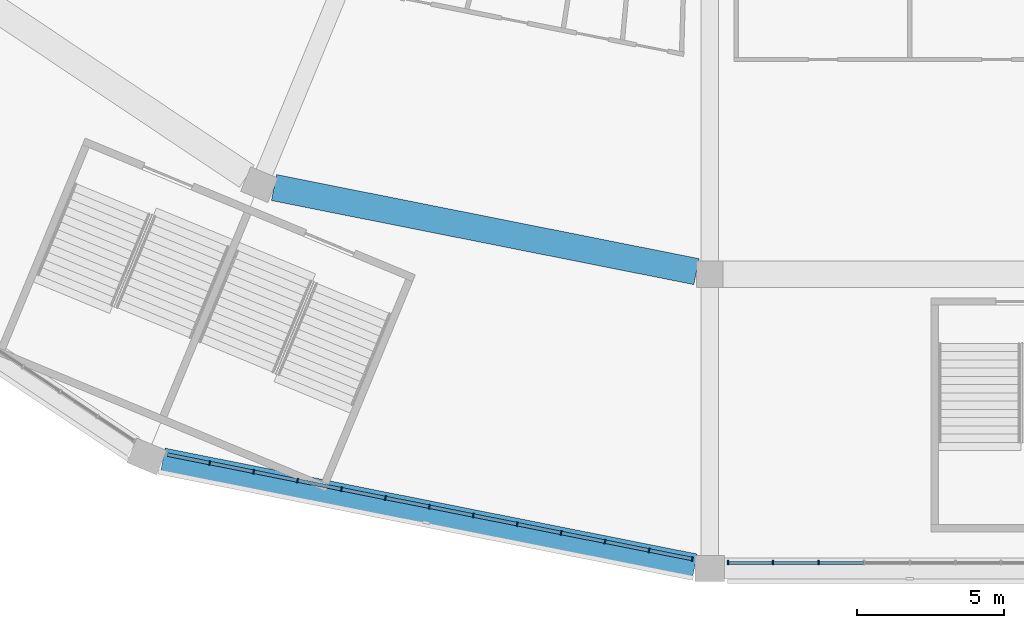
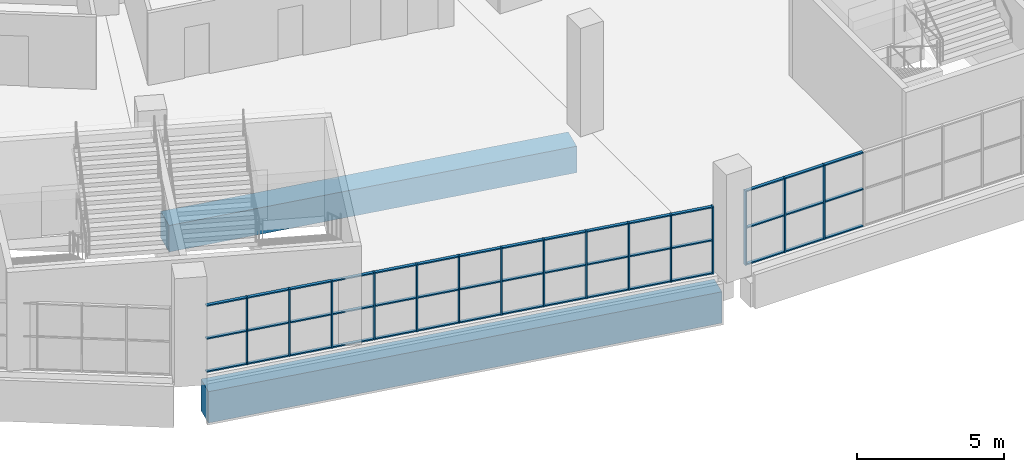
# One storey, part 5 of 199: 60 members, 2 beams, 2 elements without a shape of their own.
"""IFC4 building model written with IfcOpenShell, lengths in metres."""

from ifc_helpers import new_model, si_unit, direction, frame, origin, origin_2d, place, context, subcontext, project, spatial, rectangle, extrude, material, material_profile, profile_set, type_object, element, aggregate, save


model = new_model("IFC4")

# Units and contexts
model_context = context("Model", 3, precision=1e-05, world=origin(), true_north=direction((0.0, 1.0)))
body_context = subcontext(model_context, "Body", "Model", "MODEL_VIEW")
ifc_project = project(units=[si_unit("LENGTHUNIT", "METRE"), si_unit("AREAUNIT", "SQUARE_METRE"), si_unit("VOLUMEUNIT", "CUBIC_METRE"), si_unit("PLANEANGLEUNIT", "RADIAN"), si_unit("MASSUNIT", "GRAM", prefix="KILO")], contexts=[model_context])

# Site, building, storey
site_placement = place(None, origin())
site = spatial("IfcSite", under=ifc_project, at=site_placement, CompositionType="ELEMENT")
building_placement = place(site_placement, origin())
building = spatial("IfcBuilding", under=site, at=building_placement, Name="Ogive Plaza Stadium", CompositionType="ELEMENT")
storey_placement = place(building_placement, frame((0.0, 0.0, 9.0)))
storey = spatial("IfcBuildingStorey", under=building, at=storey_placement, Name="L02", CompositionType="ELEMENT", Elevation=9.0)

# Curtain wall, members
ifc_material_1 = material(Name="Bronze-anodised aluminium with laminated glass", Category="aluminium")
curtain_wall_type = type_object("IfcCurtainWallType", Name="Lancet curtain wall", PredefinedType="NOTDEFINED", material=ifc_material_1)
curtain_wall_1_placement = place(storey_placement, origin())
curtain_wall_1 = element("IfcCurtainWall", 1, at=curtain_wall_1_placement, inside=storey, type_object=curtain_wall_type, Name="CURTAIN WALL B16 L02", PredefinedType="NOTDEFINED")
ifc_material_2 = material(Name="Bronze-anodised aluminium", Category="aluminium")
ifc_material_profile_1 = material_profile(ifc_material_2, rectangle(XDim=0.14990234375, YDim=0.050048828125, at=origin_2d()), Name="AL 150x50")
ifc_profile_set_1 = profile_set([ifc_material_profile_1], Name="Bronze-anodised aluminium")
member_type_1 = type_object("IfcMemberType", Name="Curtain wall mullion 50x150", PredefinedType="MULLION", material=ifc_profile_set_1)
member_1_placement = place(storey_placement, frame((-30.300048828125, -102.300048828125, 0.0), z_axis=(0.0, 0.0, 1.0), x_axis=(0.0, -1.0, 0.0)))
member_1 = element("IfcMember", 2, at=member_1_placement, type_object=member_type_1, Name="CW-B16-L02 mullion 7", PredefinedType="MULLION", context=body_context, shape_type="SweptSolid", body=[
    extrude(rectangle(XDim=0.14990234375, YDim=0.050048828125, at=origin_2d()), origin(), (0.0, 0.0, 1.0), 3.090087890625),
])
member_2_placement = place(storey_placement, frame((-31.85009765625, -102.300048828125, 0.0), z_axis=(0.0, 0.0, 1.0), x_axis=(0.0, -1.0, 0.0)))
member_2 = element("IfcMember", 3, at=member_2_placement, type_object=member_type_1, Name="CW-B16-L02 mullion 8", PredefinedType="MULLION", context=body_context, shape_type="SweptSolid", body=[
    extrude(rectangle(XDim=0.14990234375, YDim=0.050048828125, at=origin_2d()), origin(), (0.0, 0.0, 1.0), 3.090087890625),
])
member_3_placement = place(storey_placement, frame((-33.375, -102.300048828125, 0.0), z_axis=(0.0, 0.0, 1.0), x_axis=(0.0, -1.0, 0.0)))
member_3 = element("IfcMember", 4, at=member_3_placement, type_object=member_type_1, Name="CW-B16-L02 mullion 9", PredefinedType="MULLION", context=body_context, shape_type="SweptSolid", body=[
    extrude(rectangle(XDim=0.14990234375, YDim=0.050048828125, at=origin_2d()), origin(), (0.0, 0.0, 1.0), 3.090087890625),
])

curtain_wall_2_placement = place(storey_placement, origin())
curtain_wall_2 = element("IfcCurtainWall", 5, at=curtain_wall_2_placement, inside=storey, type_object=curtain_wall_type, Name="CURTAIN WALL B17 L02", PredefinedType="NOTDEFINED")
member_4_placement = place(storey_placement, frame((-34.593994140625, -102.177978515625, 0.0), z_axis=(0.0, 0.0, 1.0), x_axis=(-0.195090322033, -0.9807852804, 0.0)))
member_4 = element("IfcMember", 6, at=member_4_placement, type_object=member_type_1, Name="CW-B17-L02 mullion 1", PredefinedType="MULLION", context=body_context, shape_type="SweptSolid", body=[
    extrude(rectangle(XDim=0.14990234375, YDim=0.050048828125, at=origin_2d()), origin(), (0.0, 0.0, 1.0), 2.7900390625),
])
member_5_placement = place(storey_placement, frame((-36.0625, -101.8857421875, 0.0), z_axis=(0.0, 0.0, 1.0), x_axis=(-0.195090322033, -0.9807852804, 0.0)))
member_5 = element("IfcMember", 7, at=member_5_placement, type_object=member_type_1, Name="CW-B17-L02 mullion 2", PredefinedType="MULLION", context=body_context, shape_type="SweptSolid", body=[
    extrude(rectangle(XDim=0.14990234375, YDim=0.050048828125, at=origin_2d()), origin(), (0.0, 0.0, 1.0), 2.7900390625),
])
member_6_placement = place(storey_placement, frame((-37.5556640625, -101.5888671875, 0.0), z_axis=(0.0, 0.0, 1.0), x_axis=(-0.195090322033, -0.9807852804, 0.0)))
member_6 = element("IfcMember", 8, at=member_6_placement, type_object=member_type_1, Name="CW-B17-L02 mullion 3", PredefinedType="MULLION", context=body_context, shape_type="SweptSolid", body=[
    extrude(rectangle(XDim=0.14990234375, YDim=0.050048828125, at=origin_2d()), origin(), (0.0, 0.0, 1.0), 2.7900390625),
])
member_7_placement = place(storey_placement, frame((-39.048828125, -101.291748046875, 0.0), z_axis=(0.0, 0.0, 1.0), x_axis=(-0.195090322033, -0.9807852804, 0.0)))
member_7 = element("IfcMember", 9, at=member_7_placement, type_object=member_type_1, Name="CW-B17-L02 mullion 4", PredefinedType="MULLION", context=body_context, shape_type="SweptSolid", body=[
    extrude(rectangle(XDim=0.14990234375, YDim=0.050048828125, at=origin_2d()), origin(), (0.0, 0.0, 1.0), 2.7900390625),
])
member_8_placement = place(storey_placement, frame((-40.5419921875, -100.994873046875, 0.0), z_axis=(0.0, 0.0, 1.0), x_axis=(-0.195090322033, -0.9807852804, 0.0)))
member_8 = element("IfcMember", 10, at=member_8_placement, type_object=member_type_1, Name="CW-B17-L02 mullion 5", PredefinedType="MULLION", context=body_context, shape_type="SweptSolid", body=[
    extrude(rectangle(XDim=0.14990234375, YDim=0.050048828125, at=origin_2d()), origin(), (0.0, 0.0, 1.0), 2.7900390625),
])
member_9_placement = place(storey_placement, frame((-42.034912109375, -100.69775390625, 0.0), z_axis=(0.0, 0.0, 1.0), x_axis=(-0.195090322033, -0.9807852804, 0.0)))
member_9 = element("IfcMember", 11, at=member_9_placement, type_object=member_type_1, Name="CW-B17-L02 mullion 6", PredefinedType="MULLION", context=body_context, shape_type="SweptSolid", body=[
    extrude(rectangle(XDim=0.14990234375, YDim=0.050048828125, at=origin_2d()), origin(), (0.0, 0.0, 1.0), 2.7900390625),
])
member_10_placement = place(storey_placement, frame((-43.528076171875, -100.40087890625, 0.0), z_axis=(0.0, 0.0, 1.0), x_axis=(-0.195090322033, -0.9807852804, 0.0)))
member_10 = element("IfcMember", 12, at=member_10_placement, type_object=member_type_1, Name="CW-B17-L02 mullion 7", PredefinedType="MULLION", context=body_context, shape_type="SweptSolid", body=[
    extrude(rectangle(XDim=0.14990234375, YDim=0.050048828125, at=origin_2d()), origin(), (0.0, 0.0, 1.0), 2.7900390625),
])
member_11_placement = place(storey_placement, frame((-45.021240234375, -100.103759765625, 0.0), z_axis=(0.0, 0.0, 1.0), x_axis=(-0.195090322033, -0.9807852804, 0.0)))
member_11 = element("IfcMember", 13, at=member_11_placement, type_object=member_type_1, Name="CW-B17-L02 mullion 8", PredefinedType="MULLION", context=body_context, shape_type="SweptSolid", body=[
    extrude(rectangle(XDim=0.14990234375, YDim=0.050048828125, at=origin_2d()), origin(), (0.0, 0.0, 1.0), 2.7900390625),
])
member_12_placement = place(storey_placement, frame((-46.51416015625, -99.806884765625, 0.0), z_axis=(0.0, 0.0, 1.0), x_axis=(-0.195090322033, -0.9807852804, 0.0)))
member_12 = element("IfcMember", 14, at=member_12_placement, type_object=member_type_1, Name="CW-B17-L02 mullion 9", PredefinedType="MULLION", context=body_context, shape_type="SweptSolid", body=[
    extrude(rectangle(XDim=0.14990234375, YDim=0.050048828125, at=origin_2d()), origin(), (0.0, 0.0, 1.0), 2.7900390625),
])
member_13_placement = place(storey_placement, frame((-48.00732421875, -99.509765625, 0.0), z_axis=(0.0, 0.0, 1.0), x_axis=(-0.195090322033, -0.9807852804, 0.0)))
member_13 = element("IfcMember", 15, at=member_13_placement, type_object=member_type_1, Name="CW-B17-L02 mullion 10", PredefinedType="MULLION", context=body_context, shape_type="SweptSolid", body=[
    extrude(rectangle(XDim=0.14990234375, YDim=0.050048828125, at=origin_2d()), origin(), (0.0, 0.0, 1.0), 2.7900390625),
])
member_14_placement = place(storey_placement, frame((-49.50048828125, -99.212890625, 0.0), z_axis=(0.0, 0.0, 1.0), x_axis=(-0.195090322033, -0.9807852804, 0.0)))
member_14 = element("IfcMember", 16, at=member_14_placement, type_object=member_type_1, Name="CW-B17-L02 mullion 11", PredefinedType="MULLION", context=body_context, shape_type="SweptSolid", body=[
    extrude(rectangle(XDim=0.14990234375, YDim=0.050048828125, at=origin_2d()), origin(), (0.0, 0.0, 1.0), 2.7900390625),
])
member_15_placement = place(storey_placement, frame((-50.99365234375, -98.915771484375, 0.0), z_axis=(0.0, 0.0, 1.0), x_axis=(-0.195090322033, -0.9807852804, 0.0)))
member_15 = element("IfcMember", 17, at=member_15_placement, type_object=member_type_1, Name="CW-B17-L02 mullion 12", PredefinedType="MULLION", context=body_context, shape_type="SweptSolid", body=[
    extrude(rectangle(XDim=0.14990234375, YDim=0.050048828125, at=origin_2d()), origin(), (0.0, 0.0, 1.0), 2.7900390625),
])

# Member
ifc_material_3 = material(Name="Bronze-anodised aluminium", Category="aluminium")
ifc_material_profile_2 = material_profile(ifc_material_3, rectangle(XDim=0.1201171875, YDim=0.050048828125, at=origin_2d()), Name="AL 120x50")
ifc_profile_set_2 = profile_set([ifc_material_profile_2], Name="Bronze-anodised aluminium")
member_type_2 = type_object("IfcMemberType", Name="Curtain wall transom 50x120", PredefinedType="USERDEFINED", material=ifc_profile_set_2)
member_16_placement = place(storey_placement, frame((-28.77490234375, -102.300048828125, 0.02490234375), z_axis=(-1.0, 0.0, 0.0), x_axis=(0.0, -1.0, 0.0)))
member_16 = element("IfcMember", 18, at=member_16_placement, type_object=member_type_2, Name="CW-B16-L02 transom 6.1", ObjectType="TRANSOM", PredefinedType="USERDEFINED", context=body_context, shape_type="SweptSolid", body=[
    extrude(rectangle(XDim=0.1201171875, YDim=0.050048828125, at=origin_2d()), origin(), (0.0, 0.0, 1.0), 1.5),
])

member_17_placement = place(storey_placement, frame((-28.77490234375, -102.300048828125, 1.544921875), z_axis=(-1.0, 0.0, 0.0), x_axis=(0.0, -1.0, 0.0)))
member_17 = element("IfcMember", 19, at=member_17_placement, type_object=member_type_2, Name="CW-B16-L02 transom 6.2", ObjectType="TRANSOM", PredefinedType="USERDEFINED", context=body_context, shape_type="SweptSolid", body=[
    extrude(rectangle(XDim=0.1201171875, YDim=0.050048828125, at=origin_2d()), origin(), (0.0, 0.0, 1.0), 1.5),
])

member_18_placement = place(storey_placement, frame((-28.77490234375, -102.300048828125, 3.06494140625), z_axis=(-1.0, 0.0, 0.0), x_axis=(0.0, -1.0, 0.0)))
member_18 = element("IfcMember", 20, at=member_18_placement, type_object=member_type_2, Name="CW-B16-L02 transom 6.3", ObjectType="TRANSOM", PredefinedType="USERDEFINED", context=body_context, shape_type="SweptSolid", body=[
    extrude(rectangle(XDim=0.1201171875, YDim=0.050048828125, at=origin_2d()), origin(), (0.0, 0.0, 1.0), 1.5),
])

member_19_placement = place(storey_placement, frame((-30.324951171875, -102.300048828125, 0.02490234375), z_axis=(-1.0, 0.0, 0.0), x_axis=(0.0, -1.0, 0.0)))
member_19 = element("IfcMember", 21, at=member_19_placement, type_object=member_type_2, Name="CW-B16-L02 transom 7.1", ObjectType="TRANSOM", PredefinedType="USERDEFINED", context=body_context, shape_type="SweptSolid", body=[
    extrude(rectangle(XDim=0.1201171875, YDim=0.050048828125, at=origin_2d()), origin(), (0.0, 0.0, 1.0), 1.5),
])

member_20_placement = place(storey_placement, frame((-30.324951171875, -102.300048828125, 1.544921875), z_axis=(-1.0, 0.0, 0.0), x_axis=(0.0, -1.0, 0.0)))
member_20 = element("IfcMember", 22, at=member_20_placement, type_object=member_type_2, Name="CW-B16-L02 transom 7.2", ObjectType="TRANSOM", PredefinedType="USERDEFINED", context=body_context, shape_type="SweptSolid", body=[
    extrude(rectangle(XDim=0.1201171875, YDim=0.050048828125, at=origin_2d()), origin(), (0.0, 0.0, 1.0), 1.5),
])

member_21_placement = place(storey_placement, frame((-30.324951171875, -102.300048828125, 3.06494140625), z_axis=(-1.0, 0.0, 0.0), x_axis=(0.0, -1.0, 0.0)))
member_21 = element("IfcMember", 23, at=member_21_placement, type_object=member_type_2, Name="CW-B16-L02 transom 7.3", ObjectType="TRANSOM", PredefinedType="USERDEFINED", context=body_context, shape_type="SweptSolid", body=[
    extrude(rectangle(XDim=0.1201171875, YDim=0.050048828125, at=origin_2d()), origin(), (0.0, 0.0, 1.0), 1.5),
])

member_22_placement = place(storey_placement, frame((-31.875, -102.300048828125, 0.02490234375), z_axis=(-1.0, 0.0, 0.0), x_axis=(0.0, -1.0, 0.0)))
member_22 = element("IfcMember", 24, at=member_22_placement, type_object=member_type_2, Name="CW-B16-L02 transom 8.1", ObjectType="TRANSOM", PredefinedType="USERDEFINED", context=body_context, shape_type="SweptSolid", body=[
    extrude(rectangle(XDim=0.1201171875, YDim=0.050048828125, at=origin_2d()), origin(), (0.0, 0.0, 1.0), 1.47509765625),
])

member_23_placement = place(storey_placement, frame((-31.875, -102.300048828125, 1.544921875), z_axis=(-1.0, 0.0, 0.0), x_axis=(0.0, -1.0, 0.0)))
member_23 = element("IfcMember", 25, at=member_23_placement, type_object=member_type_2, Name="CW-B16-L02 transom 8.2", ObjectType="TRANSOM", PredefinedType="USERDEFINED", context=body_context, shape_type="SweptSolid", body=[
    extrude(rectangle(XDim=0.1201171875, YDim=0.050048828125, at=origin_2d()), origin(), (0.0, 0.0, 1.0), 1.47509765625),
])

member_24_placement = place(storey_placement, frame((-31.875, -102.300048828125, 3.06494140625), z_axis=(-1.0, 0.0, 0.0), x_axis=(0.0, -1.0, 0.0)))
member_24 = element("IfcMember", 26, at=member_24_placement, type_object=member_type_2, Name="CW-B16-L02 transom 8.3", ObjectType="TRANSOM", PredefinedType="USERDEFINED", context=body_context, shape_type="SweptSolid", body=[
    extrude(rectangle(XDim=0.1201171875, YDim=0.050048828125, at=origin_2d()), origin(), (0.0, 0.0, 1.0), 1.47509765625),
])

aggregate(curtain_wall_1, [member_1, member_2, member_3, member_16, member_17, member_18, member_19, member_20, member_21, member_22, member_23, member_24])

member_25_placement = place(storey_placement, frame((-34.61865234375, -102.173095703125, 0.02490234375), z_axis=(-0.980768379534, 0.195175269199, 0.0), x_axis=(-0.195175269199, -0.980768379534, 0.0)))
member_25 = element("IfcMember", 27, at=member_25_placement, type_object=member_type_2, Name="CW-B17-L02 transom 1.1", ObjectType="TRANSOM", PredefinedType="USERDEFINED", context=body_context, shape_type="SweptSolid", body=[
    extrude(rectangle(XDim=0.1201171875, YDim=0.050048828125, at=origin_2d()), origin(), (0.0, 0.0, 1.0), 1.447265625),
])

member_26_placement = place(storey_placement, frame((-34.61865234375, -102.173095703125, 1.39501953125), z_axis=(-0.980768379534, 0.195175269199, 0.0), x_axis=(-0.195175269199, -0.980768379534, 0.0)))
member_26 = element("IfcMember", 28, at=member_26_placement, type_object=member_type_2, Name="CW-B17-L02 transom 1.2", ObjectType="TRANSOM", PredefinedType="USERDEFINED", context=body_context, shape_type="SweptSolid", body=[
    extrude(rectangle(XDim=0.1201171875, YDim=0.050048828125, at=origin_2d()), origin(), (0.0, 0.0, 1.0), 1.447265625),
])

member_27_placement = place(storey_placement, frame((-34.61865234375, -102.173095703125, 2.764892578125), z_axis=(-0.980768379534, 0.195175269199, 0.0), x_axis=(-0.195175269199, -0.980768379534, 0.0)))
member_27 = element("IfcMember", 29, at=member_27_placement, type_object=member_type_2, Name="CW-B17-L02 transom 1.3", ObjectType="TRANSOM", PredefinedType="USERDEFINED", context=body_context, shape_type="SweptSolid", body=[
    extrude(rectangle(XDim=0.1201171875, YDim=0.050048828125, at=origin_2d()), origin(), (0.0, 0.0, 1.0), 1.447265625),
])

member_28_placement = place(storey_placement, frame((-36.087158203125, -101.880859375, 0.02490234375), z_axis=(-0.980803254763, 0.194999937042, 0.0), x_axis=(-0.194999937042, -0.980803254763, 0.0)))
member_28 = element("IfcMember", 30, at=member_28_placement, type_object=member_type_2, Name="CW-B17-L02 transom 2.1", ObjectType="TRANSOM", PredefinedType="USERDEFINED", context=body_context, shape_type="SweptSolid", body=[
    extrude(rectangle(XDim=0.1201171875, YDim=0.050048828125, at=origin_2d()), origin(), (0.0, 0.0, 1.0), 1.472412109375),
])

member_29_placement = place(storey_placement, frame((-36.087158203125, -101.880859375, 1.39501953125), z_axis=(-0.980803254763, 0.194999937042, 0.0), x_axis=(-0.194999937042, -0.980803254763, 0.0)))
member_29 = element("IfcMember", 31, at=member_29_placement, type_object=member_type_2, Name="CW-B17-L02 transom 2.2", ObjectType="TRANSOM", PredefinedType="USERDEFINED", context=body_context, shape_type="SweptSolid", body=[
    extrude(rectangle(XDim=0.1201171875, YDim=0.050048828125, at=origin_2d()), origin(), (0.0, 0.0, 1.0), 1.472412109375),
])

member_30_placement = place(storey_placement, frame((-36.087158203125, -101.880859375, 2.764892578125), z_axis=(-0.980803254763, 0.194999937042, 0.0), x_axis=(-0.194999937042, -0.980803254763, 0.0)))
member_30 = element("IfcMember", 32, at=member_30_placement, type_object=member_type_2, Name="CW-B17-L02 transom 2.3", ObjectType="TRANSOM", PredefinedType="USERDEFINED", context=body_context, shape_type="SweptSolid", body=[
    extrude(rectangle(XDim=0.1201171875, YDim=0.050048828125, at=origin_2d()), origin(), (0.0, 0.0, 1.0), 1.472412109375),
])

member_31_placement = place(storey_placement, frame((-37.580322265625, -101.583984375, 0.02490234375), z_axis=(-0.980765212551, 0.195191182816, 0.0), x_axis=(-0.195191182816, -0.980765212551, 0.0)))
member_31 = element("IfcMember", 33, at=member_31_placement, type_object=member_type_2, Name="CW-B17-L02 transom 3.1", ObjectType="TRANSOM", PredefinedType="USERDEFINED", context=body_context, shape_type="SweptSolid", body=[
    extrude(rectangle(XDim=0.1201171875, YDim=0.050048828125, at=origin_2d()), origin(), (0.0, 0.0, 1.0), 1.47216796875),
])

member_32_placement = place(storey_placement, frame((-37.580322265625, -101.583984375, 1.39501953125), z_axis=(-0.980765212551, 0.195191182816, 0.0), x_axis=(-0.195191182816, -0.980765212551, 0.0)))
member_32 = element("IfcMember", 34, at=member_32_placement, type_object=member_type_2, Name="CW-B17-L02 transom 3.2", ObjectType="TRANSOM", PredefinedType="USERDEFINED", context=body_context, shape_type="SweptSolid", body=[
    extrude(rectangle(XDim=0.1201171875, YDim=0.050048828125, at=origin_2d()), origin(), (0.0, 0.0, 1.0), 1.47216796875),
])

member_33_placement = place(storey_placement, frame((-37.580322265625, -101.583984375, 2.764892578125), z_axis=(-0.980765212551, 0.195191182816, 0.0), x_axis=(-0.195191182816, -0.980765212551, 0.0)))
member_33 = element("IfcMember", 35, at=member_33_placement, type_object=member_type_2, Name="CW-B17-L02 transom 3.3", ObjectType="TRANSOM", PredefinedType="USERDEFINED", context=body_context, shape_type="SweptSolid", body=[
    extrude(rectangle(XDim=0.1201171875, YDim=0.050048828125, at=origin_2d()), origin(), (0.0, 0.0, 1.0), 1.47216796875),
])

member_34_placement = place(storey_placement, frame((-39.0732421875, -101.286865234375, 0.02490234375), z_axis=(-0.980803254763, 0.194999937042, 0.0), x_axis=(-0.194999937042, -0.980803254763, 0.0)))
member_34 = element("IfcMember", 36, at=member_34_placement, type_object=member_type_2, Name="CW-B17-L02 transom 4.1", ObjectType="TRANSOM", PredefinedType="USERDEFINED", context=body_context, shape_type="SweptSolid", body=[
    extrude(rectangle(XDim=0.1201171875, YDim=0.050048828125, at=origin_2d()), origin(), (0.0, 0.0, 1.0), 1.472412109375),
])

member_35_placement = place(storey_placement, frame((-39.0732421875, -101.286865234375, 1.39501953125), z_axis=(-0.980803254763, 0.194999937042, 0.0), x_axis=(-0.194999937042, -0.980803254763, 0.0)))
member_35 = element("IfcMember", 37, at=member_35_placement, type_object=member_type_2, Name="CW-B17-L02 transom 4.2", ObjectType="TRANSOM", PredefinedType="USERDEFINED", context=body_context, shape_type="SweptSolid", body=[
    extrude(rectangle(XDim=0.1201171875, YDim=0.050048828125, at=origin_2d()), origin(), (0.0, 0.0, 1.0), 1.472412109375),
])

member_36_placement = place(storey_placement, frame((-39.0732421875, -101.286865234375, 2.764892578125), z_axis=(-0.980803254763, 0.194999937042, 0.0), x_axis=(-0.194999937042, -0.980803254763, 0.0)))
member_36 = element("IfcMember", 38, at=member_36_placement, type_object=member_type_2, Name="CW-B17-L02 transom 4.3", ObjectType="TRANSOM", PredefinedType="USERDEFINED", context=body_context, shape_type="SweptSolid", body=[
    extrude(rectangle(XDim=0.1201171875, YDim=0.050048828125, at=origin_2d()), origin(), (0.0, 0.0, 1.0), 1.472412109375),
])

member_37_placement = place(storey_placement, frame((-40.56640625, -100.989990234375, 0.02490234375), z_axis=(-0.980771529367, 0.195159440417, 0.0), x_axis=(-0.195159440417, -0.980771529367, 0.0)))
member_37 = element("IfcMember", 39, at=member_37_placement, type_object=member_type_2, Name="CW-B17-L02 transom 5.1", ObjectType="TRANSOM", PredefinedType="USERDEFINED", context=body_context, shape_type="SweptSolid", body=[
    extrude(rectangle(XDim=0.1201171875, YDim=0.050048828125, at=origin_2d()), origin(), (0.0, 0.0, 1.0), 1.472412109375),
])

member_38_placement = place(storey_placement, frame((-40.56640625, -100.989990234375, 1.39501953125), z_axis=(-0.980771529367, 0.195159440417, 0.0), x_axis=(-0.195159440417, -0.980771529367, 0.0)))
member_38 = element("IfcMember", 40, at=member_38_placement, type_object=member_type_2, Name="CW-B17-L02 transom 5.2", ObjectType="TRANSOM", PredefinedType="USERDEFINED", context=body_context, shape_type="SweptSolid", body=[
    extrude(rectangle(XDim=0.1201171875, YDim=0.050048828125, at=origin_2d()), origin(), (0.0, 0.0, 1.0), 1.472412109375),
])

member_39_placement = place(storey_placement, frame((-40.56640625, -100.989990234375, 2.764892578125), z_axis=(-0.980771529367, 0.195159440417, 0.0), x_axis=(-0.195159440417, -0.980771529367, 0.0)))
member_39 = element("IfcMember", 41, at=member_39_placement, type_object=member_type_2, Name="CW-B17-L02 transom 5.3", ObjectType="TRANSOM", PredefinedType="USERDEFINED", context=body_context, shape_type="SweptSolid", body=[
    extrude(rectangle(XDim=0.1201171875, YDim=0.050048828125, at=origin_2d()), origin(), (0.0, 0.0, 1.0), 1.472412109375),
])

member_40_placement = place(storey_placement, frame((-42.0595703125, -100.69287109375, 0.02490234375), z_axis=(-0.980803254763, 0.194999937042, 0.0), x_axis=(-0.194999937042, -0.980803254763, 0.0)))
member_40 = element("IfcMember", 42, at=member_40_placement, type_object=member_type_2, Name="CW-B17-L02 transom 6.1", ObjectType="TRANSOM", PredefinedType="USERDEFINED", context=body_context, shape_type="SweptSolid", body=[
    extrude(rectangle(XDim=0.1201171875, YDim=0.050048828125, at=origin_2d()), origin(), (0.0, 0.0, 1.0), 1.472412109375),
])

member_41_placement = place(storey_placement, frame((-42.0595703125, -100.69287109375, 1.39501953125), z_axis=(-0.980803254763, 0.194999937042, 0.0), x_axis=(-0.194999937042, -0.980803254763, 0.0)))
member_41 = element("IfcMember", 43, at=member_41_placement, type_object=member_type_2, Name="CW-B17-L02 transom 6.2", ObjectType="TRANSOM", PredefinedType="USERDEFINED", context=body_context, shape_type="SweptSolid", body=[
    extrude(rectangle(XDim=0.1201171875, YDim=0.050048828125, at=origin_2d()), origin(), (0.0, 0.0, 1.0), 1.472412109375),
])

member_42_placement = place(storey_placement, frame((-42.0595703125, -100.69287109375, 2.764892578125), z_axis=(-0.980803254763, 0.194999937042, 0.0), x_axis=(-0.194999937042, -0.980803254763, 0.0)))
member_42 = element("IfcMember", 44, at=member_42_placement, type_object=member_type_2, Name="CW-B17-L02 transom 6.3", ObjectType="TRANSOM", PredefinedType="USERDEFINED", context=body_context, shape_type="SweptSolid", body=[
    extrude(rectangle(XDim=0.1201171875, YDim=0.050048828125, at=origin_2d()), origin(), (0.0, 0.0, 1.0), 1.472412109375),
])

member_43_placement = place(storey_placement, frame((-43.552490234375, -100.39599609375, 0.02490234375), z_axis=(-0.980771529367, 0.195159440417, 0.0), x_axis=(-0.195159440417, -0.980771529367, 0.0)))
member_43 = element("IfcMember", 45, at=member_43_placement, type_object=member_type_2, Name="CW-B17-L02 transom 7.1", ObjectType="TRANSOM", PredefinedType="USERDEFINED", context=body_context, shape_type="SweptSolid", body=[
    extrude(rectangle(XDim=0.1201171875, YDim=0.050048828125, at=origin_2d()), origin(), (0.0, 0.0, 1.0), 1.472412109375),
])

member_44_placement = place(storey_placement, frame((-43.552490234375, -100.39599609375, 1.39501953125), z_axis=(-0.980771529367, 0.195159440417, 0.0), x_axis=(-0.195159440417, -0.980771529367, 0.0)))
member_44 = element("IfcMember", 46, at=member_44_placement, type_object=member_type_2, Name="CW-B17-L02 transom 7.2", ObjectType="TRANSOM", PredefinedType="USERDEFINED", context=body_context, shape_type="SweptSolid", body=[
    extrude(rectangle(XDim=0.1201171875, YDim=0.050048828125, at=origin_2d()), origin(), (0.0, 0.0, 1.0), 1.472412109375),
])

member_45_placement = place(storey_placement, frame((-43.552490234375, -100.39599609375, 2.764892578125), z_axis=(-0.980771529367, 0.195159440417, 0.0), x_axis=(-0.195159440417, -0.980771529367, 0.0)))
member_45 = element("IfcMember", 47, at=member_45_placement, type_object=member_type_2, Name="CW-B17-L02 transom 7.3", ObjectType="TRANSOM", PredefinedType="USERDEFINED", context=body_context, shape_type="SweptSolid", body=[
    extrude(rectangle(XDim=0.1201171875, YDim=0.050048828125, at=origin_2d()), origin(), (0.0, 0.0, 1.0), 1.472412109375),
])

member_46_placement = place(storey_placement, frame((-45.045654296875, -100.098876953125, 0.02490234375), z_axis=(-0.980803254763, 0.194999937042, 0.0), x_axis=(-0.194999937042, -0.980803254763, 0.0)))
member_46 = element("IfcMember", 48, at=member_46_placement, type_object=member_type_2, Name="CW-B17-L02 transom 8.1", ObjectType="TRANSOM", PredefinedType="USERDEFINED", context=body_context, shape_type="SweptSolid", body=[
    extrude(rectangle(XDim=0.1201171875, YDim=0.050048828125, at=origin_2d()), origin(), (0.0, 0.0, 1.0), 1.472412109375),
])

member_47_placement = place(storey_placement, frame((-45.045654296875, -100.098876953125, 1.39501953125), z_axis=(-0.980803254763, 0.194999937042, 0.0), x_axis=(-0.194999937042, -0.980803254763, 0.0)))
member_47 = element("IfcMember", 49, at=member_47_placement, type_object=member_type_2, Name="CW-B17-L02 transom 8.2", ObjectType="TRANSOM", PredefinedType="USERDEFINED", context=body_context, shape_type="SweptSolid", body=[
    extrude(rectangle(XDim=0.1201171875, YDim=0.050048828125, at=origin_2d()), origin(), (0.0, 0.0, 1.0), 1.472412109375),
])

member_48_placement = place(storey_placement, frame((-45.045654296875, -100.098876953125, 2.764892578125), z_axis=(-0.980803254763, 0.194999937042, 0.0), x_axis=(-0.194999937042, -0.980803254763, 0.0)))
member_48 = element("IfcMember", 50, at=member_48_placement, type_object=member_type_2, Name="CW-B17-L02 transom 8.3", ObjectType="TRANSOM", PredefinedType="USERDEFINED", context=body_context, shape_type="SweptSolid", body=[
    extrude(rectangle(XDim=0.1201171875, YDim=0.050048828125, at=origin_2d()), origin(), (0.0, 0.0, 1.0), 1.472412109375),
])

member_49_placement = place(storey_placement, frame((-46.538818359375, -99.802001953125, 0.02490234375), z_axis=(-0.980771529367, 0.195159440417, 0.0), x_axis=(-0.195159440417, -0.980771529367, 0.0)))
member_49 = element("IfcMember", 51, at=member_49_placement, type_object=member_type_2, Name="CW-B17-L02 transom 9.1", ObjectType="TRANSOM", PredefinedType="USERDEFINED", context=body_context, shape_type="SweptSolid", body=[
    extrude(rectangle(XDim=0.1201171875, YDim=0.050048828125, at=origin_2d()), origin(), (0.0, 0.0, 1.0), 1.472412109375),
])

member_50_placement = place(storey_placement, frame((-46.538818359375, -99.802001953125, 1.39501953125), z_axis=(-0.980771529367, 0.195159440417, 0.0), x_axis=(-0.195159440417, -0.980771529367, 0.0)))
member_50 = element("IfcMember", 52, at=member_50_placement, type_object=member_type_2, Name="CW-B17-L02 transom 9.2", ObjectType="TRANSOM", PredefinedType="USERDEFINED", context=body_context, shape_type="SweptSolid", body=[
    extrude(rectangle(XDim=0.1201171875, YDim=0.050048828125, at=origin_2d()), origin(), (0.0, 0.0, 1.0), 1.472412109375),
])

member_51_placement = place(storey_placement, frame((-46.538818359375, -99.802001953125, 2.764892578125), z_axis=(-0.980771529367, 0.195159440417, 0.0), x_axis=(-0.195159440417, -0.980771529367, 0.0)))
member_51 = element("IfcMember", 53, at=member_51_placement, type_object=member_type_2, Name="CW-B17-L02 transom 9.3", ObjectType="TRANSOM", PredefinedType="USERDEFINED", context=body_context, shape_type="SweptSolid", body=[
    extrude(rectangle(XDim=0.1201171875, YDim=0.050048828125, at=origin_2d()), origin(), (0.0, 0.0, 1.0), 1.472412109375),
])

member_52_placement = place(storey_placement, frame((-48.031982421875, -99.5048828125, 0.02490234375), z_axis=(-0.980796948065, 0.19503165555, 0.0), x_axis=(-0.19503165555, -0.980796948065, 0.0)))
member_52 = element("IfcMember", 54, at=member_52_placement, type_object=member_type_2, Name="CW-B17-L02 transom 10.1", ObjectType="TRANSOM", PredefinedType="USERDEFINED", context=body_context, shape_type="SweptSolid", body=[
    extrude(rectangle(XDim=0.1201171875, YDim=0.050048828125, at=origin_2d()), origin(), (0.0, 0.0, 1.0), 1.47216796875),
])

member_53_placement = place(storey_placement, frame((-48.031982421875, -99.5048828125, 1.39501953125), z_axis=(-0.980796948065, 0.19503165555, 0.0), x_axis=(-0.19503165555, -0.980796948065, 0.0)))
member_53 = element("IfcMember", 55, at=member_53_placement, type_object=member_type_2, Name="CW-B17-L02 transom 10.2", ObjectType="TRANSOM", PredefinedType="USERDEFINED", context=body_context, shape_type="SweptSolid", body=[
    extrude(rectangle(XDim=0.1201171875, YDim=0.050048828125, at=origin_2d()), origin(), (0.0, 0.0, 1.0), 1.47216796875),
])

member_54_placement = place(storey_placement, frame((-48.031982421875, -99.5048828125, 2.764892578125), z_axis=(-0.980796948065, 0.19503165555, 0.0), x_axis=(-0.19503165555, -0.980796948065, 0.0)))
member_54 = element("IfcMember", 56, at=member_54_placement, type_object=member_type_2, Name="CW-B17-L02 transom 10.3", ObjectType="TRANSOM", PredefinedType="USERDEFINED", context=body_context, shape_type="SweptSolid", body=[
    extrude(rectangle(XDim=0.1201171875, YDim=0.050048828125, at=origin_2d()), origin(), (0.0, 0.0, 1.0), 1.47216796875),
])

member_55_placement = place(storey_placement, frame((-49.52490234375, -99.2080078125, 0.02490234375), z_axis=(-0.980771529367, 0.195159440417, 0.0), x_axis=(-0.195159440417, -0.980771529367, 0.0)))
member_55 = element("IfcMember", 57, at=member_55_placement, type_object=member_type_2, Name="CW-B17-L02 transom 11.1", ObjectType="TRANSOM", PredefinedType="USERDEFINED", context=body_context, shape_type="SweptSolid", body=[
    extrude(rectangle(XDim=0.1201171875, YDim=0.050048828125, at=origin_2d()), origin(), (0.0, 0.0, 1.0), 1.472412109375),
])

member_56_placement = place(storey_placement, frame((-49.52490234375, -99.2080078125, 1.39501953125), z_axis=(-0.980771529367, 0.195159440417, 0.0), x_axis=(-0.195159440417, -0.980771529367, 0.0)))
member_56 = element("IfcMember", 58, at=member_56_placement, type_object=member_type_2, Name="CW-B17-L02 transom 11.2", ObjectType="TRANSOM", PredefinedType="USERDEFINED", context=body_context, shape_type="SweptSolid", body=[
    extrude(rectangle(XDim=0.1201171875, YDim=0.050048828125, at=origin_2d()), origin(), (0.0, 0.0, 1.0), 1.472412109375),
])

member_57_placement = place(storey_placement, frame((-49.52490234375, -99.2080078125, 2.764892578125), z_axis=(-0.980771529367, 0.195159440417, 0.0), x_axis=(-0.195159440417, -0.980771529367, 0.0)))
member_57 = element("IfcMember", 59, at=member_57_placement, type_object=member_type_2, Name="CW-B17-L02 transom 11.3", ObjectType="TRANSOM", PredefinedType="USERDEFINED", context=body_context, shape_type="SweptSolid", body=[
    extrude(rectangle(XDim=0.1201171875, YDim=0.050048828125, at=origin_2d()), origin(), (0.0, 0.0, 1.0), 1.472412109375),
])

member_58_placement = place(storey_placement, frame((-51.01806640625, -98.910888671875, 0.02490234375), z_axis=(-0.98080065826, 0.195012996379, 0.0), x_axis=(-0.195012996379, -0.98080065826, 0.0)))
member_58 = element("IfcMember", 60, at=member_58_placement, type_object=member_type_2, Name="CW-B17-L02 transom 12.1", ObjectType="TRANSOM", PredefinedType="USERDEFINED", context=body_context, shape_type="SweptSolid", body=[
    extrude(rectangle(XDim=0.1201171875, YDim=0.050048828125, at=origin_2d()), origin(), (0.0, 0.0, 1.0), 1.447265625),
])

member_59_placement = place(storey_placement, frame((-51.01806640625, -98.910888671875, 1.39501953125), z_axis=(-0.98080065826, 0.195012996379, 0.0), x_axis=(-0.195012996379, -0.98080065826, 0.0)))
member_59 = element("IfcMember", 61, at=member_59_placement, type_object=member_type_2, Name="CW-B17-L02 transom 12.2", ObjectType="TRANSOM", PredefinedType="USERDEFINED", context=body_context, shape_type="SweptSolid", body=[
    extrude(rectangle(XDim=0.1201171875, YDim=0.050048828125, at=origin_2d()), origin(), (0.0, 0.0, 1.0), 1.447265625),
])

member_60_placement = place(storey_placement, frame((-51.01806640625, -98.910888671875, 2.764892578125), z_axis=(-0.98080065826, 0.195012996379, 0.0), x_axis=(-0.195012996379, -0.98080065826, 0.0)))
member_60 = element("IfcMember", 62, at=member_60_placement, type_object=member_type_2, Name="CW-B17-L02 transom 12.3", ObjectType="TRANSOM", PredefinedType="USERDEFINED", context=body_context, shape_type="SweptSolid", body=[
    extrude(rectangle(XDim=0.1201171875, YDim=0.050048828125, at=origin_2d()), origin(), (0.0, 0.0, 1.0), 1.447265625),
])

aggregate(curtain_wall_2, [member_4, member_5, member_6, member_7, member_8, member_9, member_10, member_11, member_12, member_13, member_14, member_15, member_25, member_26, member_27, member_28, member_29, member_30, member_31, member_32, member_33, member_34, member_35, member_36, member_37, member_38, member_39, member_40, member_41, member_42, member_43, member_44, member_45, member_46, member_47, member_48, member_49, member_50, member_51, member_52, member_53, member_54, member_55, member_56, member_57, member_58, member_59, member_60])

# Beams
ifc_material_4 = material(Name="Concrete C40/50", Category="concrete")
ifc_material_profile_3 = material_profile(ifc_material_4, rectangle(XDim=0.89990234375, YDim=1.10009765625, at=origin_2d()), Name="RC 900x1100")
ifc_profile_set_3 = profile_set([ifc_material_profile_3], Name="Concrete C40/50")
beam_type_1 = type_object("IfcBeamType", Name="RC ring beam 900x1100", PredefinedType="BEAM", material=ifc_profile_set_3)
beam_1_placement = place(storey_placement, frame((-34.449951171875, -92.410400390625, -0.9599609375), z_axis=(-0.980787317906, 0.195080078519, 0.0), x_axis=(-0.195080078519, -0.980787317906, 0.0)))
element("IfcBeam", 63, at=beam_1_placement, inside=storey, type_object=beam_type_1, Name="Ring beam F4 L02 B17", PredefinedType="BEAM", context=body_context, shape_type="SweptSolid", body=[
    extrude(rectangle(XDim=0.89990234375, YDim=1.10009765625, at=origin_2d()), origin(), (0.0, 0.0, 1.0), 14.638671875),
])
ifc_material_5 = material(Name="Concrete C40/50", Category="concrete")
ifc_material_profile_4 = material_profile(ifc_material_5, rectangle(XDim=0.800048828125, YDim=1.300048828125, at=origin_2d()), Name="RC 800x1300")
ifc_profile_set_4 = profile_set([ifc_material_profile_4], Name="Concrete C40/50")
beam_type_2 = type_object("IfcBeamType", Name="RC spandrel beam 800x1300", PredefinedType="SPANDREL", material=ifc_profile_set_4)
beam_2_placement = place(storey_placement, frame((-34.5, -102.400634765625, -1.06005859375), z_axis=(-0.980785371075, 0.195089866178, 0.0), x_axis=(-0.195089866178, -0.980785371075, 0.0)))
element("IfcBeam", 64, at=beam_2_placement, inside=storey, type_object=beam_type_2, Name="Ring beam F5 L02 B17", PredefinedType="SPANDREL", context=body_context, shape_type="SweptSolid", body=[
    extrude(rectangle(XDim=0.800048828125, YDim=1.300048828125, at=origin_2d()), origin(), (0.0, 0.0, 1.0), 18.4384765625),
])

save(model, "model.ifc")
